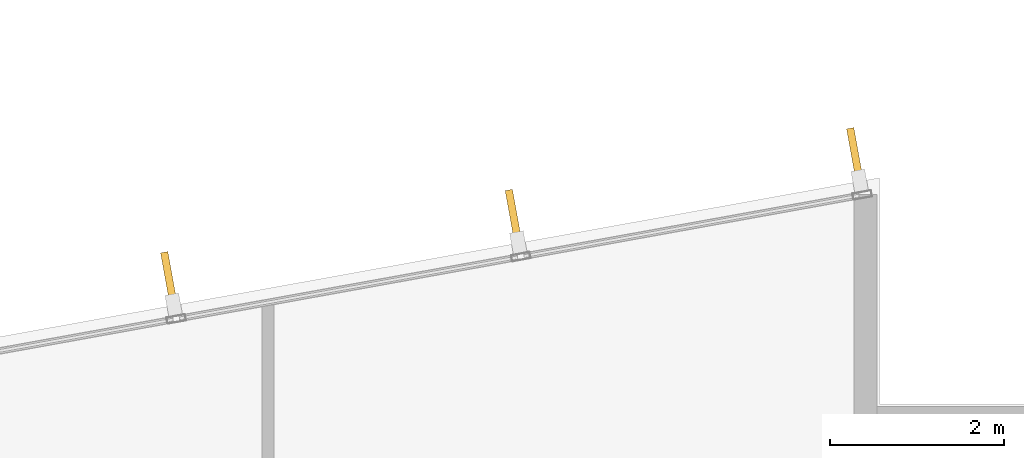
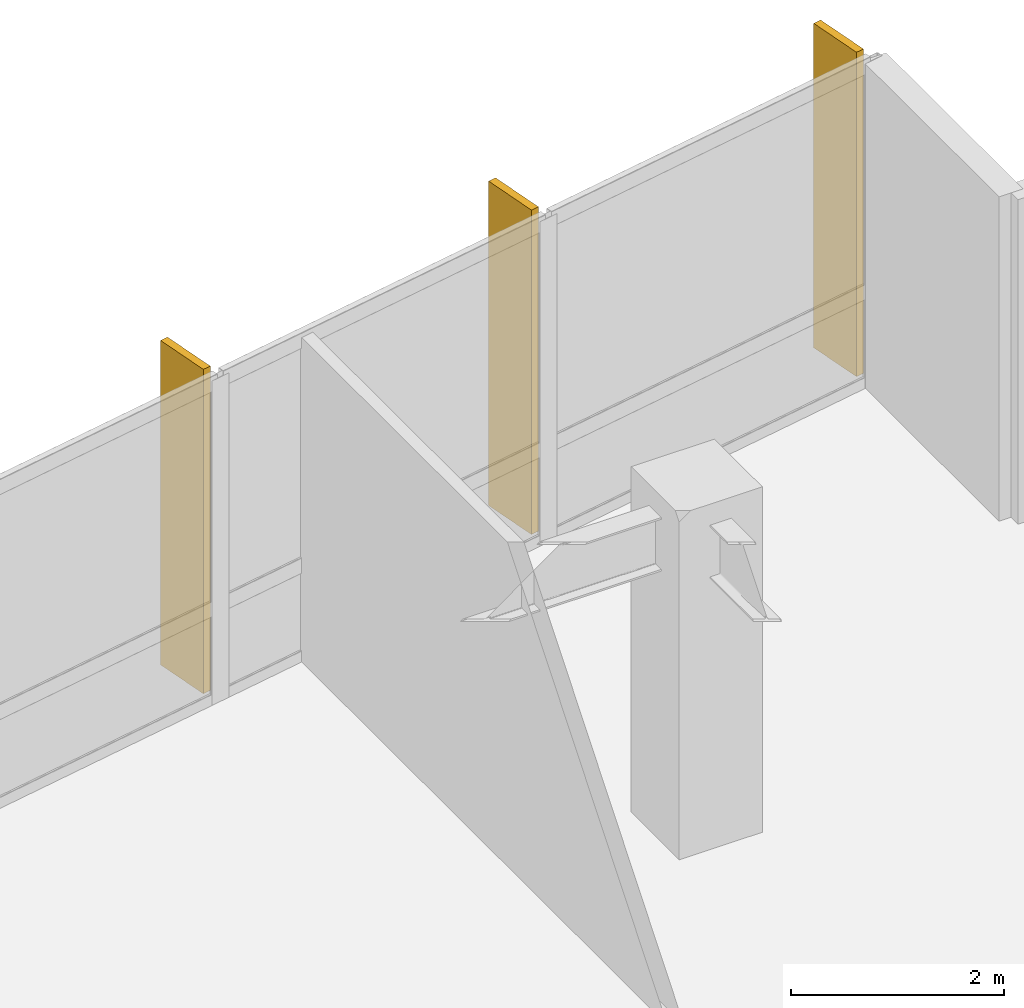
# One storey, part 21 of 21: 3 shading devices.
"""IFC4 building model written with IfcOpenShell, lengths in metres."""

from ifc_helpers import new_model, si_unit, direction, frame, origin, origin_2d, place, context, subcontext, project, spatial, rectangle, extrude, material, layer, layer_set, type_object, element, save


model = new_model("IFC4")

# Units and contexts
model_context = context("Model", 3, precision=1e-05, world=origin(), true_north=direction((0.0, 1.0)))
body_context = subcontext(model_context, "Body", "Model", "MODEL_VIEW")
ifc_project = project(units=[si_unit("LENGTHUNIT", "METRE"), si_unit("AREAUNIT", "SQUARE_METRE"), si_unit("VOLUMEUNIT", "CUBIC_METRE"), si_unit("PLANEANGLEUNIT", "RADIAN"), si_unit("MASSUNIT", "GRAM", prefix="KILO")], contexts=[model_context])

# Site, building, storey
site_placement = place(None, origin())
site = spatial("IfcSite", under=ifc_project, at=site_placement, CompositionType="ELEMENT")
building_placement = place(site_placement, origin())
building = spatial("IfcBuilding", under=site, at=building_placement, Name="Varnakote Quay Hospital", CompositionType="ELEMENT")
storey_placement = place(building_placement, frame((0.0, 0.0, 77.800048828125)))
storey = spatial("IfcBuildingStorey", under=building, at=storey_placement, Name="L19", CompositionType="ELEMENT", Elevation=77.800048828125)

# Shading devices
ifc_material = material(Name="Anodised aluminium 6063-T6 Bronze", Category="aluminium")
ifc_layer = layer(ifc_material, 0.0849609375)
ifc_layer_set = layer_set([ifc_layer], Name="Anodised aluminium 6063-T6 Bronze")
shading_device_type = type_object("IfcShadingDeviceType", Name="SHD-BRONZE-FIN-620", PredefinedType="USERDEFINED", material=ifc_layer_set)
for number, where, z_axis, x_axis, name in (
    (1, (55.319580078125, 34.664306640625, 0.0), (0.0, 0.0, 1.0), (0.177771795263, -0.984071739666, 0.0), "L19 Anodised Bronze Vertical Shading FIN"),
    (2, (51.393798828125, 33.954833984375, 0.0), (0.0, 0.0, 1.0), (0.177771795263, -0.984071739666, 0.0), "L19 Anodised Bronze Vertical Shading FIN"),
    (3, (47.43115234375, 33.23876953125, 0.0), (0.0, 0.0, 1.0), (0.177771795263, -0.984071739666, 0.0), "L19 Anodised Bronze Vertical Shading FIN"),
):
    element("IfcShadingDevice", number, at=place(storey_placement, frame(where, z_axis=z_axis, x_axis=x_axis)), inside=storey, type_object=shading_device_type, Name=name, ObjectType="FIN", PredefinedType="USERDEFINED", context=body_context, shape_type="SweptSolid", body=[
        extrude(rectangle(XDim=0.6201171875, YDim=0.0849609375, at=origin_2d()), origin(), (0.0, 0.0, 1.0), 3.7099609375),
    ])

save(model, "model.ifc")
